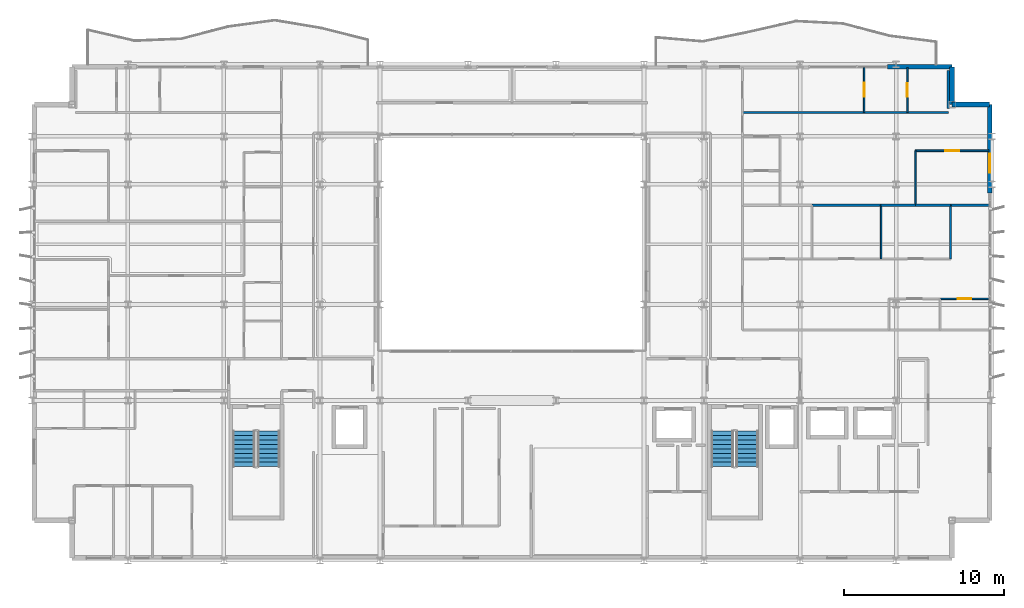
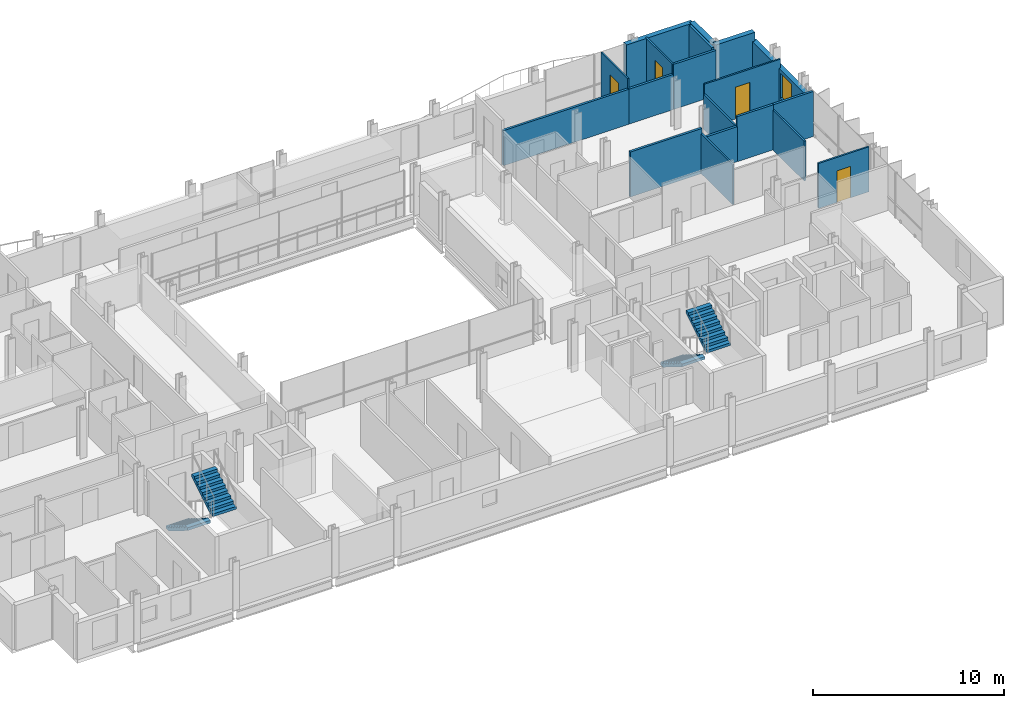
# One storey, part 34 of 40: 19 walls, 4 doors, 4 stair flights, 1 window, 5 openings, 2 elements without a shape of their own.
"""IFC4 building model written with IfcOpenShell, lengths in metres."""

from ifc_helpers import new_model, si_unit, direction, frame, frame_2d, origin, place, context, subcontext, project, spatial, polyline, rectangle, outline, extrude, material, layer, layer_set, type_object, element, fill, aggregate, save


model = new_model("IFC4")

# Units and contexts
model_context = context("Model", 3, precision=1e-05, world=origin(), true_north=direction((0.0, 1.0)))
body_context = subcontext(model_context, "Body", "Model", "MODEL_VIEW")
ifc_project = project(units=[si_unit("LENGTHUNIT", "METRE"), si_unit("AREAUNIT", "SQUARE_METRE"), si_unit("VOLUMEUNIT", "CUBIC_METRE"), si_unit("PLANEANGLEUNIT", "RADIAN"), si_unit("MASSUNIT", "GRAM", prefix="KILO")], contexts=[model_context])

# Site, building, storey
site_placement = place(None, origin())
site = spatial("IfcSite", under=ifc_project, at=site_placement, CompositionType="ELEMENT")
building_placement = place(site_placement, origin())
building = spatial("IfcBuilding", under=site, at=building_placement, Name="Brevholm Reach", CompositionType="ELEMENT")
storey_placement = place(building_placement, frame((0.0, 0.0, 160.39990234375)))
storey = spatial("IfcBuildingStorey", under=building, at=storey_placement, Name="L48", CompositionType="ELEMENT", Elevation=160.39990234375)

# Walls
ifc_material_1 = material(Name="Concrete C40/50", Category="concrete")
ifc_layer_1 = layer(ifc_material_1, 0.300048828125)
ifc_layer_set_1 = layer_set([ifc_layer_1], Name="Concrete C40/50")
wall_type_1 = type_object("IfcWallType", Name="WAL-EXT-300", PredefinedType="STANDARD", material=ifc_layer_set_1)
for number, where, z_axis, x_axis, name in (
    (1, (59.85009765625, 28.5, 0.0), (0.0, 0.0, 1.0), (-1.0, 0.0, 0.0), "L48 Facade Wall WAL-L48-CNE1"),
    (2, (57.5, 28.5, 0.0), (0.0, 0.0, 1.0), (0.0, 1.0, 0.0), "L48 Facade Wall WAL-L48-CNE2"),
):
    element("IfcWall", number, at=place(storey_placement, frame(where, z_axis=z_axis, x_axis=x_axis)), inside=storey, type_object=wall_type_1, Name=name, PredefinedType="STANDARD", context=body_context, shape_type="SweptSolid", body=[
        extrude(rectangle(XDim=2.35009765625, YDim=0.300048828125, at=frame_2d((1.175048828125, 0.0))), origin(), (0.0, 0.0, 1.0), 2.880126953125),
    ])

# Wall, opening, window
wall_1_placement = place(storey_placement, frame((59.85009765625, 22.949951171875, 0.0), z_axis=(0.0, 0.0, 1.0), x_axis=(0.0, 1.0, 0.0)))
wall_1 = element("IfcWall", 3, at=wall_1_placement, inside=storey, type_object=wall_type_1, Name="L48 Facade Wall WAL-L48-E-N", PredefinedType="STANDARD", context=body_context, shape_type="SweptSolid", body=[
    extrude(rectangle(XDim=5.550048828125, YDim=0.300048828125, at=frame_2d((2.77490234375, 0.0))), origin(), (0.0, 0.0, 1.0), 2.322021484375),
])
opening_1_placement = place(wall_1_placement, frame((1.27001953125, 0.0, 0.501953125)))
opening_1 = element("IfcOpeningElement", 4, at=opening_1_placement, cuts=wall_1, Name="Opening WN-08", PredefinedType="OPENING", context=body_context, shape_type="SweptSolid", body=[
    extrude(rectangle(XDim=1.199951171875, YDim=1.60009765625, at=frame_2d((0.60009765625, 0.800048828125))), frame((0.0, 0.159912109375, 0.0), z_axis=(0.0, -1.0, 0.0), x_axis=(1.0, 0.0, 0.0)), (0.0, 0.0, 1.0), 0.320068359375),
])
ifc_material_2 = material(Name="Dark Anodised Aluminium and Solar-Control IGU Glass", Category="aluminium")
window_type = type_object("IfcWindowType", Name="WIN-RES-1200", PartitioningType="SINGLE_PANEL", PredefinedType="WINDOW", material=ifc_material_2)
window_placement = place(opening_1_placement, origin())
window = element("IfcWindow", 5, at=window_placement, inside=storey, type_object=window_type, Name="L48 Window WIN-L48-EN-1", OverallHeight=1.60009765625, OverallWidth=1.199951171875, PartitioningType="SINGLE_PANEL", PredefinedType="WINDOW", context=body_context, shape_type="SweptSolid", body=[
    extrude(rectangle(XDim=1.199951171875, YDim=1.60009765625, at=frame_2d((0.60009765625, 0.800048828125))), frame((0.0, 0.030029296875, 0.0), z_axis=(0.0, -1.0, 0.0), x_axis=(1.0, 0.0, 0.0)), (0.0, 0.0, 1.0), 0.06005859375),
])
fill(opening_1, window)

# Wall
wall_2_placement = place(storey_placement, frame((53.449951171875, 30.85009765625, 0.0), z_axis=(0.0, 0.0, 1.0), x_axis=(1.0, 0.0, 0.0)))
element("IfcWall", 6, at=wall_2_placement, inside=storey, type_object=wall_type_1, Name="L48 Facade Wall WAL-L48-NP-E0", PredefinedType="STANDARD", context=body_context, shape_type="SweptSolid", body=[
    extrude(rectangle(XDim=4.050048828125, YDim=0.300048828125, at=frame_2d((2.02490234375, 0.0))), origin(), (0.0, 0.0, 1.0), 2.880126953125),
])

# Wall, opening, door
ifc_material_3 = material(Name="Moisture-Resistant Acoustic Gypsum Stud Partition 100 mm", Category="gypsum")
ifc_layer_2 = layer(ifc_material_3, 0.10009765625)
ifc_layer_set_2 = layer_set([ifc_layer_2], Name="Moisture-Resistant Acoustic Gypsum Stud Partition 100 mm")
wall_type_2 = type_object("IfcWallType", Name="WAL-PRT-100", PredefinedType="PARTITIONING", material=ifc_layer_set_2)
wall_3_placement = place(storey_placement, frame((56.75, 16.35009765625, 0.0), z_axis=(0.0, 0.0, 1.0), x_axis=(1.0, 0.0, 0.0)))
wall_3 = element("IfcWall", 7, at=wall_3_placement, inside=storey, type_object=wall_type_2, Name="L48 Internal Partition 103", PredefinedType="PARTITIONING", context=body_context, shape_type="SweptSolid", body=[
    extrude(rectangle(XDim=3.050048828125, YDim=0.10009765625, at=frame_2d((1.52490234375, 0.0))), origin(), (0.0, 0.0, 1.0), 2.880126953125),
])
opening_2_placement = place(wall_3_placement, frame((1.114990234375, 0.0, 0.0)))
opening_2 = element("IfcOpeningElement", 8, at=opening_2_placement, cuts=wall_3, Name="Opening ID-03", PredefinedType="OPENING", context=body_context, shape_type="SweptSolid", body=[
    extrude(rectangle(XDim=0.820068359375, YDim=2.02001953125, at=frame_2d((0.41015625, 1.010009765625))), frame((0.0, 0.06005859375, 0.0), z_axis=(0.0, -1.0, 0.0), x_axis=(1.0, 0.0, 0.0)), (0.0, 0.0, 1.0), 0.1201171875),
])
ifc_material_4 = material(Name="Moisture-Resistant Painted Timber Internal Bathroom Door", Category="wood")
door_type_1 = type_object("IfcDoorType", Name="DOR-BATH-820", OperationType="NOTDEFINED", PredefinedType="DOOR", material=ifc_material_4)
door_1_placement = place(opening_2_placement, origin())
door_1 = element("IfcDoor", 9, at=door_1_placement, inside=storey, type_object=door_type_1, Name="L48 Internal Door 044", OperationType="SINGLE_SWING_LEFT", OverallHeight=2.02001953125, OverallWidth=0.820068359375, PredefinedType="DOOR", context=body_context, shape_type="SweptSolid", body=[
    extrude(rectangle(XDim=0.820068359375, YDim=2.02001953125, at=frame_2d((0.41015625, 1.010009765625))), frame((0.0, 0.02490234375, 0.0), z_axis=(0.0, -1.0, 0.0), x_axis=(1.0, 0.0, 0.0)), (0.0, 0.0, 1.0), 0.050048828125),
])
fill(opening_2, door_1)

# Walls
for number, where, z_axis, x_axis, name in (
    (10, (53.06591796875, 18.845947265625, 0.0), (0.0, 0.0, 1.0), (0.0, 1.0, 0.0), "L48 Internal Partition 110"),
    (11, (57.39892578125, 18.845947265625, 0.0), (0.0, 0.0, 1.0), (0.0, 1.0, 0.0), "L48 Internal Partition 114"),
):
    element("IfcWall", number, at=place(storey_placement, frame(where, z_axis=z_axis, x_axis=x_axis)), inside=storey, type_object=wall_type_2, Name=name, PredefinedType="PARTITIONING", context=body_context, shape_type="SweptSolid", body=[
        extrude(rectangle(XDim=3.35400390625, YDim=0.10009765625, at=frame_2d((1.677001953125, 0.0))), origin(), (0.0, 0.0, 1.0), 2.5517578125),
    ])

# Wall, opening, door
wall_4_placement = place(storey_placement, frame((55.199951171875, 25.60009765625, 0.0), z_axis=(0.0, 0.0, 1.0), x_axis=(1.0, 0.0, 0.0)))
wall_4 = element("IfcWall", 12, at=wall_4_placement, inside=storey, type_object=wall_type_2, Name="L48 Internal Partition 122", PredefinedType="PARTITIONING", context=body_context, shape_type="SweptSolid", body=[
    extrude(rectangle(XDim=4.60009765625, YDim=0.10009765625, at=frame_2d((2.300048828125, 0.0))), origin(), (0.0, 0.0, 1.0), 2.880126953125),
])
opening_3_placement = place(wall_4_placement, frame((1.860107421875, 0.0, 0.0)))
opening_3 = element("IfcOpeningElement", 13, at=opening_3_placement, cuts=wall_4, Name="Opening ID-01", PredefinedType="OPENING", context=body_context, shape_type="SweptSolid", body=[
    extrude(rectangle(XDim=0.8798828125, YDim=2.0400390625, at=frame_2d((0.43994140625, 1.02001953125))), frame((0.0, 0.06005859375, 0.0), z_axis=(0.0, -1.0, 0.0), x_axis=(1.0, 0.0, 0.0)), (0.0, 0.0, 1.0), 0.1201171875),
])
ifc_material_5 = material(Name="Lacquered Ash Solid-Core Acoustic Internal Door", Category="timber")
door_type_2 = type_object("IfcDoorType", Name="DOR-INT-880", OperationType="NOTDEFINED", PredefinedType="DOOR", material=ifc_material_5)
door_2_placement = place(opening_3_placement, origin())
door_2 = element("IfcDoor", 14, at=door_2_placement, inside=storey, type_object=door_type_2, Name="L48 Internal Door 050", OperationType="SINGLE_SWING_LEFT", OverallHeight=2.0400390625, OverallWidth=0.8798828125, PredefinedType="DOOR", context=body_context, shape_type="SweptSolid", body=[
    extrude(rectangle(XDim=0.8798828125, YDim=2.0400390625, at=frame_2d((0.43994140625, 1.02001953125))), frame((0.0, 0.02490234375, 0.0), z_axis=(0.0, -1.0, 0.0), x_axis=(1.0, 0.0, 0.0)), (0.0, 0.0, 1.0), 0.050048828125),
])
fill(opening_3, door_2)

# Wall
wall_5_placement = place(storey_placement, frame((55.199951171875, 22.2041015625, 0.0), z_axis=(0.0, 0.0, 1.0), x_axis=(0.0, 1.0, 0.0)))
element("IfcWall", 15, at=wall_5_placement, inside=storey, type_object=wall_type_2, Name="L48 Internal Partition 123", PredefinedType="PARTITIONING", context=body_context, shape_type="SweptSolid", body=[
    extrude(rectangle(XDim=3.39599609375, YDim=0.10009765625, at=frame_2d((1.697998046875, 0.0))), origin(), (0.0, 0.0, 1.0), 2.242919921875),
])

# Wall, opening, door
wall_6_placement = place(storey_placement, frame((54.699951171875, 28.00390625, 0.0), z_axis=(0.0, 0.0, 1.0), x_axis=(0.0, 1.0, 0.0)))
wall_6 = element("IfcWall", 16, at=wall_6_placement, inside=storey, type_object=wall_type_2, Name="L48 Internal Partition 130", PredefinedType="PARTITIONING", context=body_context, shape_type="SweptSolid", body=[
    extrude(rectangle(XDim=2.796142578125, YDim=0.10009765625, at=frame_2d((1.39794921875, 0.0))), origin(), (0.0, 0.0, 1.0), 2.880126953125),
])
opening_4_placement = place(wall_6_placement, frame((0.988037109375, 0.0, 0.0)))
opening_4 = element("IfcOpeningElement", 17, at=opening_4_placement, cuts=wall_6, Name="Opening ID-03", PredefinedType="OPENING", context=body_context, shape_type="SweptSolid", body=[
    extrude(rectangle(XDim=0.820068359375, YDim=2.02001953125, at=frame_2d((0.41015625, 1.010009765625))), frame((0.0, 0.06005859375, 0.0), z_axis=(0.0, -1.0, 0.0), x_axis=(1.0, 0.0, 0.0)), (0.0, 0.0, 1.0), 0.1201171875),
])
door_3_placement = place(opening_4_placement, origin())
door_3 = element("IfcDoor", 18, at=door_3_placement, inside=storey, type_object=door_type_1, Name="L48 Access Door 055", OperationType="SINGLE_SWING_RIGHT", OverallHeight=2.02001953125, OverallWidth=0.820068359375, PredefinedType="DOOR", context=body_context, shape_type="SweptSolid", body=[
    extrude(rectangle(XDim=0.820068359375, YDim=2.02001953125, at=frame_2d((0.41015625, 1.010009765625))), frame((0.0, 0.02490234375, 0.0), z_axis=(0.0, -1.0, 0.0), x_axis=(1.0, 0.0, 0.0)), (0.0, 0.0, 1.0), 0.050048828125),
])
fill(opening_4, door_3)

wall_7_placement = place(storey_placement, frame((52.0, 28.00390625, 0.0), z_axis=(0.0, 0.0, 1.0), x_axis=(0.0, 1.0, 0.0)))
wall_7 = element("IfcWall", 19, at=wall_7_placement, inside=storey, type_object=wall_type_2, Name="L48 Internal Partition 131", PredefinedType="PARTITIONING", context=body_context, shape_type="SweptSolid", body=[
    extrude(rectangle(XDim=2.796142578125, YDim=0.10009765625, at=frame_2d((1.39794921875, 0.0))), origin(), (0.0, 0.0, 1.0), 2.880126953125),
])
opening_5_placement = place(wall_7_placement, frame((0.9580078125, 0.0, 0.0)))
opening_5 = element("IfcOpeningElement", 20, at=opening_5_placement, cuts=wall_7, Name="Opening ID-01", PredefinedType="OPENING", context=body_context, shape_type="SweptSolid", body=[
    extrude(rectangle(XDim=0.8798828125, YDim=2.0400390625, at=frame_2d((0.43994140625, 1.02001953125))), frame((0.0, 0.06005859375, 0.0), z_axis=(0.0, -1.0, 0.0), x_axis=(1.0, 0.0, 0.0)), (0.0, 0.0, 1.0), 0.1201171875),
])
door_4_placement = place(opening_5_placement, origin())
door_4 = element("IfcDoor", 21, at=door_4_placement, inside=storey, type_object=door_type_2, Name="L48 Internal Door 052", OperationType="SINGLE_SWING_LEFT", OverallHeight=2.0400390625, OverallWidth=0.8798828125, PredefinedType="DOOR", context=body_context, shape_type="SweptSolid", body=[
    extrude(rectangle(XDim=0.8798828125, YDim=2.0400390625, at=frame_2d((0.43994140625, 1.02001953125))), frame((0.0, 0.02490234375, 0.0), z_axis=(0.0, -1.0, 0.0), x_axis=(1.0, 0.0, 0.0)), (0.0, 0.0, 1.0), 0.050048828125),
])
fill(opening_5, door_4)

# Walls
ifc_material_6 = material(Name="Twin-Stud Acoustic Fire-Rated Gypsum Partition 140 mm", Category="gypsum")
ifc_layer_3 = layer(ifc_material_6, 0.139892578125)
ifc_layer_set_3 = layer_set([ifc_layer_3], Name="Twin-Stud Acoustic Fire-Rated Gypsum Partition 140 mm")
wall_type_3 = type_object("IfcWallType", Name="WAL-PRT-140", PredefinedType="PARTITIONING", material=ifc_layer_set_3)
wall_8_placement = place(storey_placement, frame((48.737060546875, 22.199951171875, 0.0), z_axis=(0.0, 0.0, 1.0), x_axis=(1.0, 0.0, 0.0)))
element("IfcWall", 22, at=wall_8_placement, inside=storey, type_object=wall_type_3, Name="L48 Internal Partition 112", PredefinedType="PARTITIONING", context=body_context, shape_type="SweptSolid", body=[
    extrude(rectangle(XDim=4.328857421875, YDim=0.139892578125, at=frame_2d((2.16455078125, 0.0))), origin(), (0.0, 0.0, 1.0), 2.880126953125),
])
wall_9_placement = place(storey_placement, frame((55.188720703125, 22.199951171875, 0.0), z_axis=(0.0, 0.0, 1.0), x_axis=(1.0, 0.0, 0.0)))
element("IfcWall", 23, at=wall_9_placement, inside=storey, type_object=wall_type_3, Name="L48 Internal Partition 115", PredefinedType="PARTITIONING", context=body_context, shape_type="SweptSolid", body=[
    extrude(rectangle(XDim=2.210205078125, YDim=0.139892578125, at=frame_2d((1.10498046875, 0.0))), origin(), (0.0, 0.0, 1.0), 2.880126953125),
])
wall_10_placement = place(storey_placement, frame((53.070068359375, 22.199951171875, 0.0), z_axis=(0.0, 0.0, 1.0), x_axis=(1.0, 0.0, 0.0)))
element("IfcWall", 24, at=wall_10_placement, inside=storey, type_object=wall_type_3, Name="L48 Internal Partition 116", PredefinedType="PARTITIONING", context=body_context, shape_type="SweptSolid", body=[
    extrude(rectangle(XDim=2.13720703125, YDim=0.139892578125, at=frame_2d((1.068603515625, 0.0))), origin(), (0.0, 0.0, 1.0), 2.242919921875),
])
wall_11_placement = place(storey_placement, frame((57.403076171875, 22.199951171875, 0.0), z_axis=(0.0, 0.0, 1.0), x_axis=(1.0, 0.0, 0.0)))
element("IfcWall", 25, at=wall_11_placement, inside=storey, type_object=wall_type_3, Name="L48 Internal Partition 117", PredefinedType="PARTITIONING", context=body_context, shape_type="SweptSolid", body=[
    extrude(rectangle(XDim=2.39697265625, YDim=0.139892578125, at=frame_2d((1.198486328125, 0.0))), origin(), (0.0, 0.0, 1.0), 2.880126953125),
])
wall_12_placement = place(storey_placement, frame((54.688720703125, 28.0, 0.0), z_axis=(0.0, 0.0, 1.0), x_axis=(1.0, 0.0, 0.0)))
element("IfcWall", 26, at=wall_12_placement, inside=storey, type_object=wall_type_3, Name="L48 Internal Partition 124", PredefinedType="PARTITIONING", context=body_context, shape_type="SweptSolid", body=[
    extrude(rectangle(XDim=2.572509765625, YDim=0.139892578125, at=frame_2d((1.2861328125, 0.0))), origin(), (0.0, 0.0, 1.0), 2.880126953125),
])
wall_13_placement = place(storey_placement, frame((51.98876953125, 28.0, 0.0), z_axis=(0.0, 0.0, 1.0), x_axis=(1.0, 0.0, 0.0)))
element("IfcWall", 27, at=wall_13_placement, inside=storey, type_object=wall_type_3, Name="L48 Internal Partition 125", PredefinedType="PARTITIONING", context=body_context, shape_type="SweptSolid", body=[
    extrude(rectangle(XDim=2.718505859375, YDim=0.139892578125, at=frame_2d((1.359375, 0.0))), origin(), (0.0, 0.0, 1.0), 2.242919921875),
])
wall_14_placement = place(storey_placement, frame((44.404052734375, 28.0, 0.0), z_axis=(0.0, 0.0, 1.0), x_axis=(1.0, 0.0, 0.0)))
element("IfcWall", 28, at=wall_14_placement, inside=storey, type_object=wall_type_3, Name="L48 Internal Partition 126", PredefinedType="PARTITIONING", context=body_context, shape_type="SweptSolid", body=[
    extrude(rectangle(XDim=7.603271484375, YDim=0.139892578125, at=frame_2d((3.8017578125, 0.0))), origin(), (0.0, 0.0, 1.0), 2.242919921875),
])
wall_15_placement = place(storey_placement, frame((57.25, 28.239990234375, 0.0), z_axis=(0.0, 0.0, 1.0), x_axis=(0.0, 1.0, 0.0)))
element("IfcWall", 29, at=wall_15_placement, inside=storey, type_object=wall_type_3, Name="L48 Internal Partition 140", PredefinedType="PARTITIONING", context=body_context, shape_type="SweptSolid", body=[
    extrude(rectangle(XDim=2.3701171875, YDim=0.139892578125, at=frame_2d((1.18505859375, 0.0))), origin(), (0.0, 0.0, 1.0), 2.880126953125),
])

# Stair, stair flights
ifc_material_7 = material(Name="Precast Concrete C40/50", Category="concrete")
stair_type = type_object("IfcStairType", Name="STR-ESC-1400", PredefinedType="DOUBLE_RETURN_STAIR", material=ifc_material_7)
stair_1_placement = place(storey_placement, origin())
stair_1 = element("IfcStair", 30, at=stair_1_placement, inside=storey, type_object=stair_type, Name="L48 ST-1", PredefinedType="DOUBLE_RETURN_STAIR")
ifc_material_8 = material(Name="Precast Concrete C40/50", Category="concrete")
ifc_layer_4 = layer(ifc_material_8, 0.18505859375)
ifc_layer_set_4 = layer_set([ifc_layer_4], Name="Precast Concrete C40/50")
stair_flight_type = type_object("IfcStairFlightType", Name="STF-PRC-185", PredefinedType="STRAIGHT", material=ifc_layer_set_4)
stair_flight_1_placement = place(storey_placement, frame((13.25, 8.10009765625, 0.0), z_axis=(0.0, 0.0, 1.0), x_axis=(0.0, -1.0, 0.0)))
stair_flight_1 = element("IfcStairFlight", 31, at=stair_flight_1_placement, type_object=stair_flight_type, Name="ST-1 flight 1", NumberOfRisers=9, NumberOfTreads=8, PredefinedType="STRAIGHT", RiserHeight=0.172222222, TreadLength=0.28, context=body_context, shape_type="SweptSolid", body=[
    extrude(outline(polyline([(0.0, 0.0), (0.0, 0.172119140625), (0.280029296875, 0.172119140625), (0.280029296875, 0.344482421875), (0.56005859375, 0.344482421875), (0.56005859375, 0.5166015625), (0.840087890625, 0.5166015625), (0.840087890625, 0.68896484375), (1.1201171875, 0.68896484375), (1.1201171875, 0.861083984375), (1.39990234375, 0.861083984375), (1.39990234375, 1.033447265625), (1.679931640625, 1.033447265625), (1.679931640625, 1.20556640625), (1.9599609375, 1.20556640625), (1.9599609375, 1.377685546875), (2.239990234375, 1.377685546875), (2.239990234375, 1.550048828125), (2.239990234375, 1.201904296875), (0.2861328125, 0.0), (0.0, 0.0)])), frame((0.0, 0.699951171875, 0.0), z_axis=(0.0, -1.0, 0.0), x_axis=(1.0, 0.0, 0.0)), (0.0, 0.0, 1.0), 1.39990234375),
])
stair_flight_2_placement = place(storey_placement, frame((14.800048828125, 5.860107421875, 1.550048828125), z_axis=(0.0, 0.0, 1.0), x_axis=(0.0, 1.0, 0.0)))
stair_flight_2 = element("IfcStairFlight", 32, at=stair_flight_2_placement, type_object=stair_flight_type, Name="ST-1 flight 2", NumberOfRisers=9, NumberOfTreads=8, PredefinedType="STRAIGHT", RiserHeight=0.172222222, TreadLength=0.28, context=body_context, shape_type="SweptSolid", body=[
    extrude(outline(polyline([(0.0, 0.0), (0.0, 0.172119140625), (0.280029296875, 0.172119140625), (0.280029296875, 0.344482421875), (0.56005859375, 0.344482421875), (0.56005859375, 0.5166015625), (0.840087890625, 0.5166015625), (0.840087890625, 0.68896484375), (1.1201171875, 0.68896484375), (1.1201171875, 0.861083984375), (1.39990234375, 0.861083984375), (1.39990234375, 1.033447265625), (1.679931640625, 1.033447265625), (1.679931640625, 1.20556640625), (1.9599609375, 1.20556640625), (1.9599609375, 1.377685546875), (2.239990234375, 1.377685546875), (2.239990234375, 1.550048828125), (2.239990234375, 1.201904296875), (0.2861328125, 0.0), (0.0, 0.0)])), frame((0.0, 0.699951171875, 0.0), z_axis=(0.0, -1.0, 0.0), x_axis=(1.0, 0.0, 0.0)), (0.0, 0.0, 1.0), 1.39990234375),
])
aggregate(stair_1, [stair_flight_1, stair_flight_2])

stair_2_placement = place(storey_placement, origin())
stair_2 = element("IfcStair", 33, at=stair_2_placement, inside=storey, type_object=stair_type, Name="L48 ST-2", PredefinedType="DOUBLE_RETURN_STAIR")
stair_flight_3_placement = place(storey_placement, frame((43.14990234375, 8.10009765625, 0.0), z_axis=(0.0, 0.0, 1.0), x_axis=(0.0, -1.0, 0.0)))
stair_flight_3 = element("IfcStairFlight", 34, at=stair_flight_3_placement, type_object=stair_flight_type, Name="ST-2 flight 1", NumberOfRisers=9, NumberOfTreads=8, PredefinedType="STRAIGHT", RiserHeight=0.172222222, TreadLength=0.28, context=body_context, shape_type="SweptSolid", body=[
    extrude(outline(polyline([(0.0, 0.0), (0.0, 0.172119140625), (0.280029296875, 0.172119140625), (0.280029296875, 0.344482421875), (0.56005859375, 0.344482421875), (0.56005859375, 0.5166015625), (0.840087890625, 0.5166015625), (0.840087890625, 0.68896484375), (1.1201171875, 0.68896484375), (1.1201171875, 0.861083984375), (1.39990234375, 0.861083984375), (1.39990234375, 1.033447265625), (1.679931640625, 1.033447265625), (1.679931640625, 1.20556640625), (1.9599609375, 1.20556640625), (1.9599609375, 1.377685546875), (2.239990234375, 1.377685546875), (2.239990234375, 1.550048828125), (2.239990234375, 1.201904296875), (0.2861328125, 0.0), (0.0, 0.0)])), frame((0.0, 0.699951171875, 0.0), z_axis=(0.0, -1.0, 0.0), x_axis=(1.0, 0.0, 0.0)), (0.0, 0.0, 1.0), 1.39990234375),
])
stair_flight_4_placement = place(storey_placement, frame((44.699951171875, 5.860107421875, 1.550048828125), z_axis=(0.0, 0.0, 1.0), x_axis=(0.0, 1.0, 0.0)))
stair_flight_4 = element("IfcStairFlight", 35, at=stair_flight_4_placement, type_object=stair_flight_type, Name="ST-2 flight 2", NumberOfRisers=9, NumberOfTreads=8, PredefinedType="STRAIGHT", RiserHeight=0.172222222, TreadLength=0.28, context=body_context, shape_type="SweptSolid", body=[
    extrude(outline(polyline([(0.0, 0.0), (0.0, 0.172119140625), (0.280029296875, 0.172119140625), (0.280029296875, 0.344482421875), (0.56005859375, 0.344482421875), (0.56005859375, 0.5166015625), (0.840087890625, 0.5166015625), (0.840087890625, 0.68896484375), (1.1201171875, 0.68896484375), (1.1201171875, 0.861083984375), (1.39990234375, 0.861083984375), (1.39990234375, 1.033447265625), (1.679931640625, 1.033447265625), (1.679931640625, 1.20556640625), (1.9599609375, 1.20556640625), (1.9599609375, 1.377685546875), (2.239990234375, 1.377685546875), (2.239990234375, 1.550048828125), (2.239990234375, 1.201904296875), (0.2861328125, 0.0), (0.0, 0.0)])), frame((0.0, 0.699951171875, 0.0), z_axis=(0.0, -1.0, 0.0), x_axis=(1.0, 0.0, 0.0)), (0.0, 0.0, 1.0), 1.39990234375),
])
aggregate(stair_2, [stair_flight_3, stair_flight_4])

save(model, "model.ifc")
